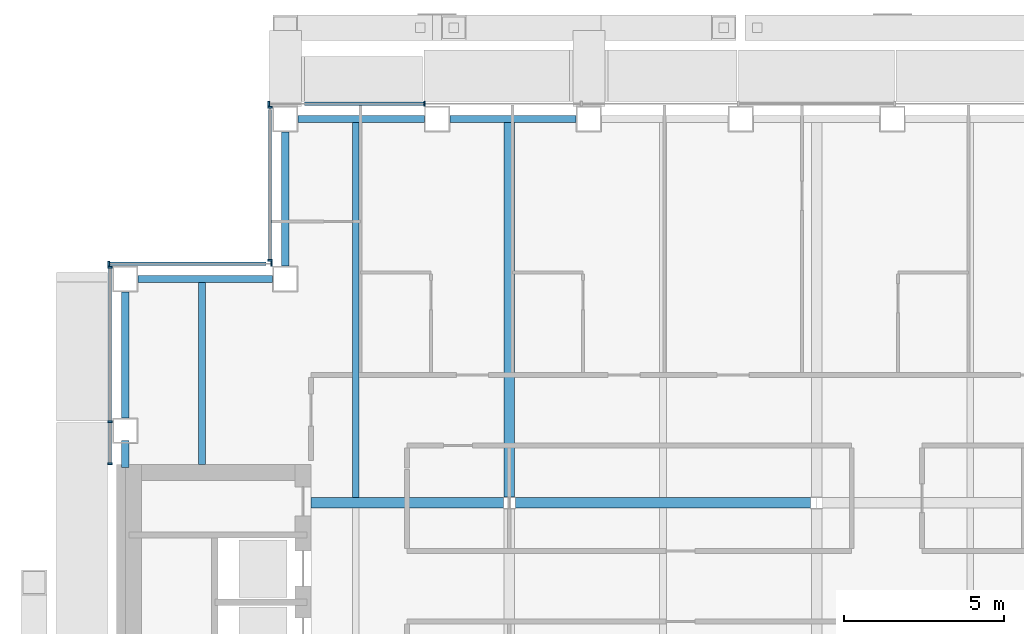
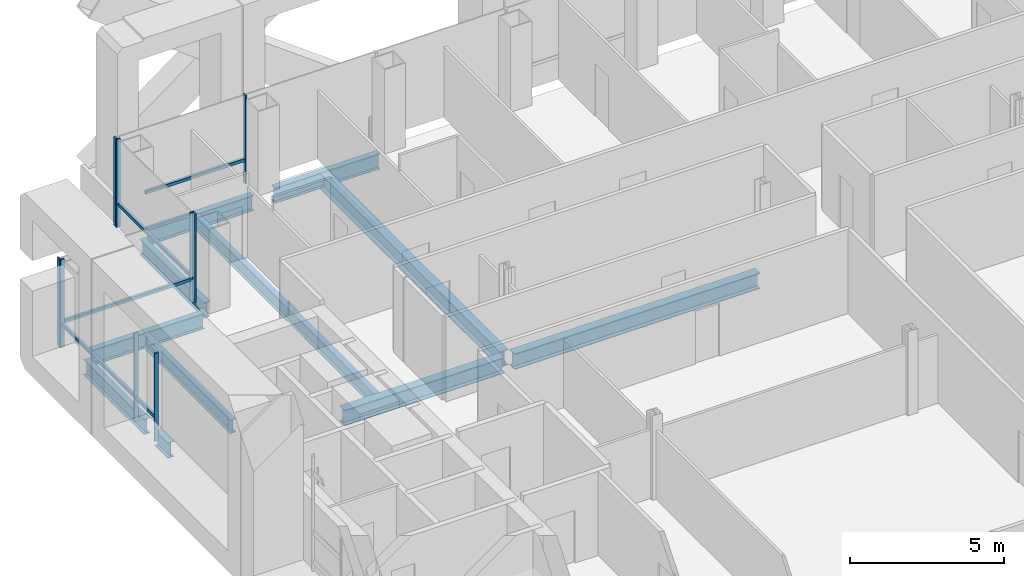
# One storey, part 8 of 22: 14 members, 11 beams, 4 elements without a shape of their own.
"""IFC4 building model written with IfcOpenShell, lengths in metres."""

from ifc_helpers import new_model, si_unit, direction, frame, origin, origin_2d, place, context, subcontext, project, spatial, rectangle, i_section, extrude, material, material_profile, profile_set, type_object, element, aggregate, save


model = new_model("IFC4")

# Units and contexts
model_context = context("Model", 3, precision=1e-05, world=origin(), true_north=direction((0.0, 1.0)))
body_context = subcontext(model_context, "Body", "Model", "MODEL_VIEW")
ifc_project = project(units=[si_unit("LENGTHUNIT", "METRE"), si_unit("AREAUNIT", "SQUARE_METRE"), si_unit("VOLUMEUNIT", "CUBIC_METRE"), si_unit("PLANEANGLEUNIT", "RADIAN"), si_unit("MASSUNIT", "GRAM", prefix="KILO")], contexts=[model_context])

# Site, building, storey
site_placement = place(None, origin())
site = spatial("IfcSite", under=ifc_project, at=site_placement, CompositionType="ELEMENT")
building_placement = place(site_placement, origin())
building = spatial("IfcBuilding", under=site, at=building_placement, Name="Cobrizo Arcos Hotel Tower", CompositionType="ELEMENT")
storey_placement = place(building_placement, frame((0.0, 0.0, 169.0)))
storey = spatial("IfcBuildingStorey", under=building, at=storey_placement, Name="L43", CompositionType="ELEMENT", Elevation=169.0)

# Curtain wall, members
ifc_material_1 = material(Name="Aluminium 6063-T6 anodised bronze", Category="aluminium")
curtain_wall_type = type_object("IfcCurtainWallType", Name="CW-A guest facade", PredefinedType="NOTDEFINED", material=ifc_material_1)
curtain_wall_1_placement = place(storey_placement, origin())
curtain_wall_1 = element("IfcCurtainWall", 1, at=curtain_wall_1_placement, inside=storey, type_object=curtain_wall_type, Name="CW-A L43 N face", PredefinedType="NOTDEFINED")
ifc_material_profile_1 = material_profile(ifc_material_1, rectangle(XDim=0.14990234375, YDim=0.06005859375, at=origin_2d()), Name="CW-A mullion 150x60")
ifc_profile_set_1 = profile_set([ifc_material_profile_1], Name="Aluminium 6063-T6 anodised bronze")
member_type_1 = type_object("IfcMemberType", Name="CW-A mullion 150x60", PredefinedType="MULLION", material=ifc_profile_set_1)
member_1_placement = place(storey_placement, frame((-12.25, 22.074951171875, 0.0), z_axis=(0.0, 0.0, 1.0), x_axis=(0.0, 1.0, 0.0)))
member_1 = element("IfcMember", 2, at=member_1_placement, type_object=member_type_1, Name="CW-A mullion 7", PredefinedType="MULLION", context=body_context, shape_type="SweptSolid", body=[
    extrude(rectangle(XDim=0.14990234375, YDim=0.06005859375, at=origin_2d()), origin(), (0.0, 0.0, 1.0), 3.5),
])
member_2_placement = place(storey_placement, frame((-17.1201171875, 22.074951171875, 0.0), z_axis=(0.0, 0.0, 1.0), x_axis=(0.0, 1.0, 0.0)))
member_2 = element("IfcMember", 3, at=member_2_placement, type_object=member_type_1, Name="CW-A mullion 8", PredefinedType="MULLION", context=body_context, shape_type="SweptSolid", body=[
    extrude(rectangle(XDim=0.14990234375, YDim=0.06005859375, at=origin_2d()), origin(), (0.0, 0.0, 1.0), 3.5),
])

curtain_wall_2_placement = place(storey_placement, origin())
curtain_wall_2 = element("IfcCurtainWall", 4, at=curtain_wall_2_placement, inside=storey, type_object=curtain_wall_type, Name="CW-A L43 W face", PredefinedType="NOTDEFINED")
member_3_placement = place(storey_placement, frame((-17.074951171875, 21.969970703125, 0.0), z_axis=(0.0, 0.0, 1.0), x_axis=(-1.0, 0.0, 0.0)))
member_3 = element("IfcMember", 5, at=member_3_placement, type_object=member_type_1, Name="CW-A mullion 1", PredefinedType="MULLION", context=body_context, shape_type="SweptSolid", body=[
    extrude(rectangle(XDim=0.14990234375, YDim=0.06005859375, at=origin_2d()), origin(), (0.0, 0.0, 1.0), 3.5),
])
member_4_placement = place(storey_placement, frame((-17.074951171875, 17.179931640625, 0.0), z_axis=(0.0, 0.0, 1.0), x_axis=(-1.0, 0.0, 0.0)))
member_4 = element("IfcMember", 6, at=member_4_placement, type_object=member_type_1, Name="CW-A mullion 2", PredefinedType="MULLION", context=body_context, shape_type="SweptSolid", body=[
    extrude(rectangle(XDim=0.14990234375, YDim=0.06005859375, at=origin_2d()), origin(), (0.0, 0.0, 1.0), 3.5),
])

curtain_wall_3_placement = place(storey_placement, origin())
curtain_wall_3 = element("IfcCurtainWall", 7, at=curtain_wall_3_placement, inside=storey, type_object=curtain_wall_type, Name="CW-A L43 N face", PredefinedType="NOTDEFINED")
member_5_placement = place(storey_placement, frame((-17.030029296875, 17.074951171875, 0.0), z_axis=(0.0, 0.0, 1.0), x_axis=(0.0, 1.0, 0.0)))
member_5 = element("IfcMember", 8, at=member_5_placement, type_object=member_type_1, Name="CW-A mullion 1", PredefinedType="MULLION", context=body_context, shape_type="SweptSolid", body=[
    extrude(rectangle(XDim=0.14990234375, YDim=0.06005859375, at=origin_2d()), origin(), (0.0, 0.0, 1.0), 3.5),
])
member_6_placement = place(storey_placement, frame((-22.1201171875, 17.074951171875, 0.0), z_axis=(0.0, 0.0, 1.0), x_axis=(0.0, 1.0, 0.0)))
member_6 = element("IfcMember", 9, at=member_6_placement, type_object=member_type_1, Name="CW-A mullion 2", PredefinedType="MULLION", context=body_context, shape_type="SweptSolid", body=[
    extrude(rectangle(XDim=0.14990234375, YDim=0.06005859375, at=origin_2d()), origin(), (0.0, 0.0, 1.0), 3.5),
])

curtain_wall_4_placement = place(storey_placement, origin())
curtain_wall_4 = element("IfcCurtainWall", 10, at=curtain_wall_4_placement, inside=storey, type_object=curtain_wall_type, Name="CW-A L43 W face", PredefinedType="NOTDEFINED")
member_7_placement = place(storey_placement, frame((-22.074951171875, 16.969970703125, 0.0), z_axis=(0.0, 0.0, 1.0), x_axis=(-1.0, 0.0, 0.0)))
member_7 = element("IfcMember", 11, at=member_7_placement, type_object=member_type_1, Name="CW-A mullion 1", PredefinedType="MULLION", context=body_context, shape_type="SweptSolid", body=[
    extrude(rectangle(XDim=0.14990234375, YDim=0.06005859375, at=origin_2d()), origin(), (0.0, 0.0, 1.0), 3.5),
])
member_8_placement = place(storey_placement, frame((-22.074951171875, 12.142822265625, 0.0), z_axis=(0.0, 0.0, 1.0), x_axis=(-1.0, 0.0, 0.0)))
member_8 = element("IfcMember", 12, at=member_8_placement, type_object=member_type_1, Name="CW-A mullion 2", PredefinedType="MULLION", context=body_context, shape_type="SweptSolid", body=[
    extrude(rectangle(XDim=0.14990234375, YDim=0.06005859375, at=origin_2d()), origin(), (0.0, 0.0, 1.0), 3.5),
])
member_9_placement = place(storey_placement, frame((-22.074951171875, 10.830078125, 0.0), z_axis=(0.0, 0.0, 1.0), x_axis=(-1.0, 0.0, 0.0)))
member_9 = element("IfcMember", 13, at=member_9_placement, type_object=member_type_1, Name="CW-A mullion 3", PredefinedType="MULLION", context=body_context, shape_type="SweptSolid", body=[
    extrude(rectangle(XDim=0.14990234375, YDim=0.06005859375, at=origin_2d()), origin(), (0.0, 0.0, 1.0), 3.5),
])

# Member
ifc_material_profile_2 = material_profile(ifc_material_1, rectangle(XDim=0.10009765625, YDim=0.1201171875, at=origin_2d()), Name="CW-A transom 120x100")
ifc_profile_set_2 = profile_set([ifc_material_profile_2], Name="Aluminium 6063-T6 anodised bronze")
member_type_2 = type_object("IfcMemberType", Name="CW-A transom 120x100", PredefinedType="USERDEFINED", material=ifc_profile_set_2)
member_10_placement = place(storey_placement, frame((-12.280029296875, 22.074951171875, 0.929931640625), z_axis=(-1.0, 0.0, 0.0), x_axis=(0.0, -1.0, 0.0)))
member_10 = element("IfcMember", 14, at=member_10_placement, type_object=member_type_2, Name="CW-A transom 1537", ObjectType="TRANSOM", PredefinedType="USERDEFINED", context=body_context, shape_type="SweptSolid", body=[
    extrude(rectangle(XDim=0.10009765625, YDim=0.1201171875, at=origin_2d()), origin(), (0.0, 0.0, 1.0), 3.719970703125),
])

aggregate(curtain_wall_1, [member_1, member_2, member_10])

member_11_placement = place(storey_placement, frame((-17.074951171875, 21.889892578125, 0.929931640625), z_axis=(0.0, -1.0, 0.0), x_axis=(1.0, 0.0, 0.0)))
member_11 = element("IfcMember", 15, at=member_11_placement, type_object=member_type_2, Name="CW-A transom 1538", ObjectType="TRANSOM", PredefinedType="USERDEFINED", context=body_context, shape_type="SweptSolid", body=[
    extrude(rectangle(XDim=0.10009765625, YDim=0.1201171875, at=origin_2d()), origin(), (0.0, 0.0, 1.0), 4.679931640625),
])

aggregate(curtain_wall_2, [member_3, member_4, member_11])

member_12_placement = place(storey_placement, frame((-17.199951171875, 17.074951171875, 0.929931640625), z_axis=(-1.0, 0.0, 0.0), x_axis=(0.0, -1.0, 0.0)))
member_12 = element("IfcMember", 16, at=member_12_placement, type_object=member_type_2, Name="CW-A transom 1539", ObjectType="TRANSOM", PredefinedType="USERDEFINED", context=body_context, shape_type="SweptSolid", body=[
    extrude(rectangle(XDim=0.10009765625, YDim=0.1201171875, at=origin_2d()), origin(), (0.0, 0.0, 1.0), 4.89013671875),
])

aggregate(curtain_wall_3, [member_5, member_6, member_12])

member_13_placement = place(storey_placement, frame((-22.074951171875, 16.93994140625, 0.929931640625), z_axis=(0.0, -1.0, 0.0), x_axis=(1.0, 0.0, 0.0)))
member_13 = element("IfcMember", 17, at=member_13_placement, type_object=member_type_2, Name="CW-A transom 1540", ObjectType="TRANSOM", PredefinedType="USERDEFINED", context=body_context, shape_type="SweptSolid", body=[
    extrude(rectangle(XDim=0.10009765625, YDim=0.1201171875, at=origin_2d()), origin(), (0.0, 0.0, 1.0), 4.76708984375),
])

member_14_placement = place(storey_placement, frame((-22.074951171875, 12.11279296875, 0.929931640625), z_axis=(0.0, -1.0, 0.0), x_axis=(1.0, 0.0, 0.0)))
member_14 = element("IfcMember", 18, at=member_14_placement, type_object=member_type_2, Name="CW-A transom 1541", ObjectType="TRANSOM", PredefinedType="USERDEFINED", context=body_context, shape_type="SweptSolid", body=[
    extrude(rectangle(XDim=0.10009765625, YDim=0.1201171875, at=origin_2d()), origin(), (0.0, 0.0, 1.0), 1.252685546875),
])

aggregate(curtain_wall_4, [member_7, member_8, member_9, member_13, member_14])

# Beams
ifc_material_2 = material(Name="Steel ASTM A992 Grade 50", Category="steel")
ifc_material_profile_3 = material_profile(ifc_material_2, i_section(OverallWidth=0.209228515625, OverallDepth=0.533447265625, WebThickness=0.01025390625, FlangeThickness=0.015625, at=origin_2d()), Name="W21X62")
ifc_profile_set_3 = profile_set([ifc_material_profile_3], Name="Steel ASTM A992 Grade 50")
beam_type_1 = type_object("IfcBeamType", Name="W21X62 joist", PredefinedType="JOIST", material=ifc_profile_set_3)
beam_1_placement = place(storey_placement, frame((-19.199951171875, 10.81005859375, -0.416748046875), z_axis=(0.0, 1.0, 0.0), x_axis=(-1.0, 0.0, 0.0)))
element("IfcBeam", 19, at=beam_1_placement, inside=storey, type_object=beam_type_1, Name="Floor joist J1, L43, no. 002", PredefinedType="JOIST", context=body_context, shape_type="SweptSolid", body=[
    extrude(i_section(OverallWidth=0.209228515625, OverallDepth=0.533447265625, WebThickness=0.01025390625, FlangeThickness=0.015625, at=origin_2d()), origin(), (0.0, 0.0, 1.0), 5.699951171875),
])
beam_2_placement = place(storey_placement, frame((-14.39990234375, 9.763916015625, -0.416748046875), z_axis=(0.0, 1.0, 0.0), x_axis=(-1.0, 0.0, 0.0)))
element("IfcBeam", 20, at=beam_2_placement, inside=storey, type_object=beam_type_1, Name="Floor joist J1, L43, no. 006", PredefinedType="JOIST", context=body_context, shape_type="SweptSolid", body=[
    extrude(i_section(OverallWidth=0.209228515625, OverallDepth=0.533447265625, WebThickness=0.01025390625, FlangeThickness=0.015625, at=origin_2d()), origin(), (0.0, 0.0, 1.0), 11.74609375),
])
ifc_material_profile_4 = material_profile(ifc_material_2, i_section(OverallWidth=0.32763671875, OverallDepth=0.622314453125, WebThickness=0.015380859375, FlangeThickness=0.0244140625, at=origin_2d()), Name="W24X131")
ifc_profile_set_4 = profile_set([ifc_material_profile_4], Name="Steel ASTM A992 Grade 50")
beam_type_2 = type_object("IfcBeamType", Name="W24X131 girder", PredefinedType="BEAM", material=ifc_profile_set_4)
beam_3_placement = place(storey_placement, frame((-15.7900390625, 9.60009765625, -0.461181640625), z_axis=(1.0, 0.0, 0.0), x_axis=(0.0, 1.0, 0.0)))
element("IfcBeam", 21, at=beam_3_placement, inside=storey, type_object=beam_type_2, Name="Floor girder G1, L43, no. 009", PredefinedType="BEAM", context=body_context, shape_type="SweptSolid", body=[
    extrude(i_section(OverallWidth=0.32763671875, OverallDepth=0.622314453125, WebThickness=0.015380859375, FlangeThickness=0.0244140625, at=origin_2d()), origin(), (0.0, 0.0, 1.0), 6.00341796875),
])
beam_4_placement = place(storey_placement, frame((-9.413330078125, 9.60009765625, -0.461181640625), z_axis=(1.0, 0.0, 0.0), x_axis=(0.0, 1.0, 0.0)))
element("IfcBeam", 22, at=beam_4_placement, inside=storey, type_object=beam_type_2, Name="Floor girder G1, L43, no. 010", PredefinedType="BEAM", context=body_context, shape_type="SweptSolid", body=[
    extrude(i_section(OverallWidth=0.32763671875, OverallDepth=0.622314453125, WebThickness=0.015380859375, FlangeThickness=0.0244140625, at=origin_2d()), origin(), (0.0, 0.0, 1.0), 9.2265625),
])
beam_5_placement = place(storey_placement, frame((-9.60009765625, 9.78662109375, -0.461181640625), z_axis=(0.0, 1.0, 0.0), x_axis=(-1.0, 0.0, 0.0)))
element("IfcBeam", 23, at=beam_5_placement, inside=storey, type_object=beam_type_2, Name="Floor girder G1, L43, no. 016", PredefinedType="BEAM", context=body_context, shape_type="SweptSolid", body=[
    extrude(i_section(OverallWidth=0.32763671875, OverallDepth=0.622314453125, WebThickness=0.015380859375, FlangeThickness=0.0244140625, at=origin_2d()), origin(), (0.0, 0.0, 1.0), 11.723388671875),
])
ifc_material_profile_5 = material_profile(ifc_material_2, i_section(OverallWidth=0.228271484375, OverallDepth=0.607177734375, WebThickness=0.01123046875, FlangeThickness=0.017333984375, at=origin_2d()), Name="W24X76")
ifc_profile_set_5 = profile_set([ifc_material_profile_5], Name="Steel ASTM A992 Grade 50")
beam_type_3 = type_object("IfcBeamType", Name="W24X76 spandrel", PredefinedType="SPANDREL", material=ifc_profile_set_5)
beam_6_placement = place(storey_placement, frame((-7.513916015625, 21.60009765625, -0.45361328125), z_axis=(-1.0, 0.0, 0.0), x_axis=(0.0, -1.0, 0.0)))
element("IfcBeam", 24, at=beam_6_placement, inside=storey, type_object=beam_type_3, Name="Spandrel beam W24X76, L43, no. 021", PredefinedType="SPANDREL", context=body_context, shape_type="SweptSolid", body=[
    extrude(i_section(OverallWidth=0.228271484375, OverallDepth=0.607177734375, WebThickness=0.01123046875, FlangeThickness=0.017333984375, at=origin_2d()), origin(), (0.0, 0.0, 1.0), 3.943115234375),
])
beam_7_placement = place(storey_placement, frame((-12.257080078125, 21.60009765625, -0.45361328125), z_axis=(-1.0, 0.0, 0.0), x_axis=(0.0, -1.0, 0.0)))
element("IfcBeam", 25, at=beam_7_placement, inside=storey, type_object=beam_type_3, Name="Spandrel beam W24X76, L43, no. 022", PredefinedType="SPANDREL", context=body_context, shape_type="SweptSolid", body=[
    extrude(i_section(OverallWidth=0.228271484375, OverallDepth=0.607177734375, WebThickness=0.01123046875, FlangeThickness=0.017333984375, at=origin_2d()), origin(), (0.0, 0.0, 1.0), 3.94287109375),
])
for number, where, z_axis, x_axis, name in (
    (26, (-16.60009765625, 21.199951171875, -0.45361328125), (0.0, -1.0, 0.0), (1.0, 0.0, 0.0), "Spandrel beam W24X76, L43, no. 023"),
    (27, (-17.0, 16.60009765625, -0.45361328125), (-1.0, 0.0, 0.0), (0.0, -1.0, 0.0), "Spandrel beam W24X76, L43, no. 024"),
):
    element("IfcBeam", number, at=place(storey_placement, frame(where, z_axis=z_axis, x_axis=x_axis)), inside=storey, type_object=beam_type_3, Name=name, PredefinedType="SPANDREL", context=body_context, shape_type="SweptSolid", body=[
        extrude(i_section(OverallWidth=0.228271484375, OverallDepth=0.607177734375, WebThickness=0.01123046875, FlangeThickness=0.017333984375, at=origin_2d()), origin(), (0.0, 0.0, 1.0), 4.199951171875),
    ])
beam_8_placement = place(storey_placement, frame((-21.60009765625, 16.199951171875, -0.45361328125), z_axis=(0.0, -1.0, 0.0), x_axis=(1.0, 0.0, 0.0)))
element("IfcBeam", 28, at=beam_8_placement, inside=storey, type_object=beam_type_3, Name="Spandrel beam W24X76, L43, no. 025", PredefinedType="SPANDREL", context=body_context, shape_type="SweptSolid", body=[
    extrude(i_section(OverallWidth=0.228271484375, OverallDepth=0.607177734375, WebThickness=0.01123046875, FlangeThickness=0.017333984375, at=origin_2d()), origin(), (0.0, 0.0, 1.0), 3.94287109375),
])
beam_9_placement = place(storey_placement, frame((-21.60009765625, 11.556884765625, -0.45361328125), z_axis=(0.0, -1.0, 0.0), x_axis=(1.0, 0.0, 0.0)))
element("IfcBeam", 29, at=beam_9_placement, inside=storey, type_object=beam_type_3, Name="Spandrel beam W24X76, L43, no. 026", PredefinedType="SPANDREL", context=body_context, shape_type="SweptSolid", body=[
    extrude(i_section(OverallWidth=0.228271484375, OverallDepth=0.607177734375, WebThickness=0.01123046875, FlangeThickness=0.017333984375, at=origin_2d()), origin(), (0.0, 0.0, 1.0), 0.846923828125),
])

save(model, "model.ifc")
